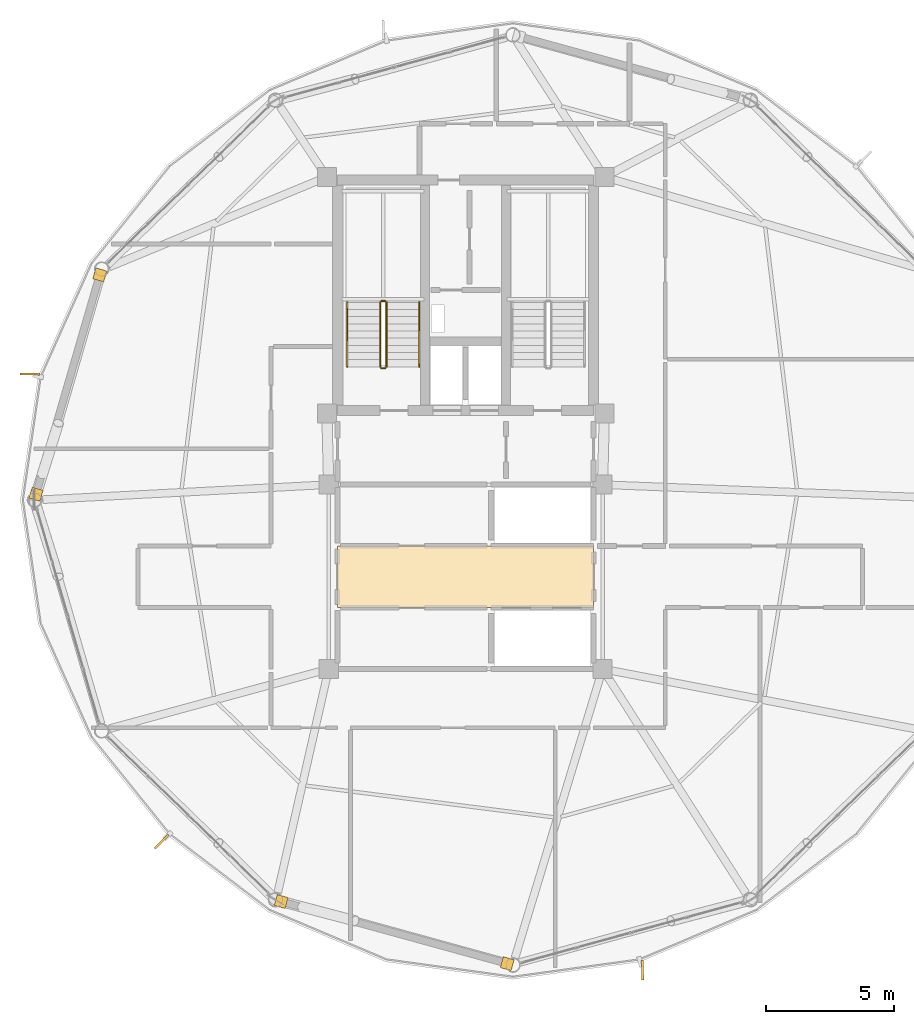
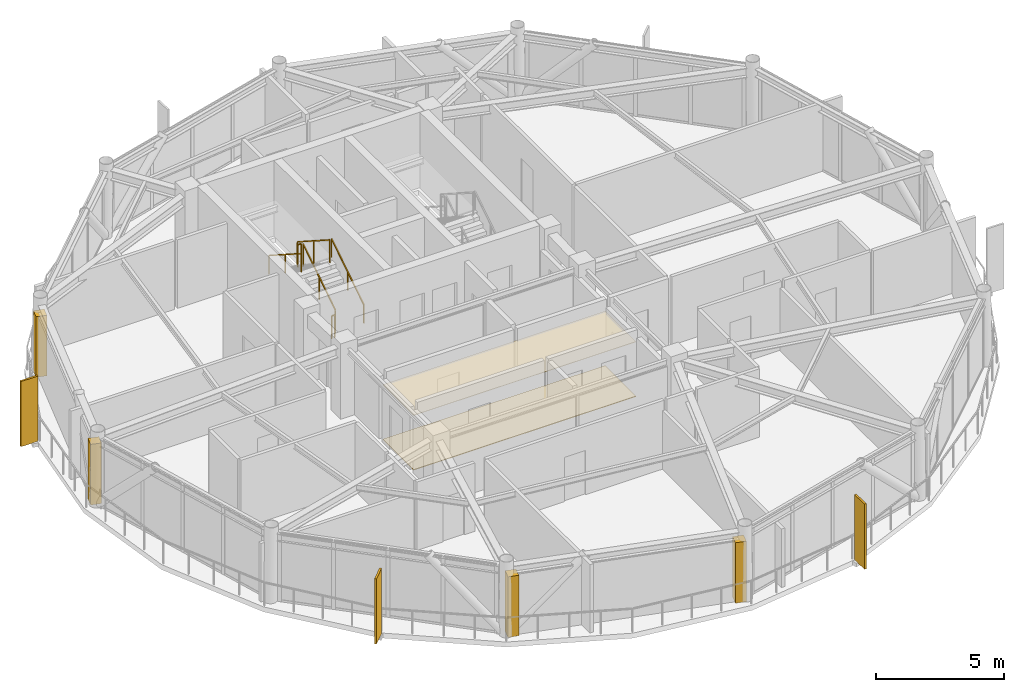
# One storey, part 26 of 28: 6 coverings, 6 railings, 3 shading devices.
"""IFC4 building model written with IfcOpenShell, lengths in metres."""

from ifc_helpers import new_model, si_unit, direction, frame, origin, origin_2d, place, context, subcontext, project, spatial, polyline, rectangle, outline, extrude, source, transform, mapped, material, layer, layer_set, type_object, type_shapes, element, save


model = new_model("IFC4")

# Units and contexts
model_context = context("Model", 3, precision=1e-05, world=origin(), true_north=direction((0.0, 1.0)))
body_context = subcontext(model_context, "Body", "Model", "MODEL_VIEW")
ifc_project = project(units=[si_unit("LENGTHUNIT", "METRE"), si_unit("AREAUNIT", "SQUARE_METRE"), si_unit("VOLUMEUNIT", "CUBIC_METRE"), si_unit("PLANEANGLEUNIT", "RADIAN"), si_unit("MASSUNIT", "GRAM", prefix="KILO")], contexts=[model_context])

# Site, building, storey
site_placement = place(None, origin())
site = spatial("IfcSite", under=ifc_project, at=site_placement, CompositionType="ELEMENT")
building_placement = place(site_placement, origin())
building = spatial("IfcBuilding", under=site, at=building_placement, Name="Varnakorn Sky Granary", CompositionType="ELEMENT")
storey_placement = place(building_placement, frame((0.0, 0.0, 236.39990234375)))
storey = spatial("IfcBuildingStorey", under=building, at=storey_placement, Name="L60", CompositionType="ELEMENT", Elevation=236.39990234375)

# Coverings
ifc_material_1 = material(Name="Perforated Acoustic Mineral-Fibre Ceiling", Category="gypsum")
ifc_layer_1 = layer(ifc_material_1, 0.02001953125, Name="Perforated Acoustic Mineral-Fibre Ceiling")
ifc_layer_set_1 = layer_set([ifc_layer_1], Name="Perforated Acoustic Mineral-Fibre Ceiling")
covering_type_1 = type_object("IfcCoveringType", Name="CV-CEIL-20", PredefinedType="CEILING", material=ifc_layer_set_1)
covering_1_placement = place(storey_placement, frame((0.0, 0.0, 2.60009765625)))
element("IfcCovering", 1, at=covering_1_placement, inside=storey, type_object=covering_type_1, Name="Lift Lobby Perforated Acoustic Ceiling L60", PredefinedType="CEILING", context=body_context, shape_type="SweptSolid", body=[
    extrude(outline(polyline([(-2.0, -4.199951171875), (8.0, -4.199951171875), (8.0, -1.800048828125), (-2.0, -1.800048828125), (-2.0, -4.199951171875)])), origin(), (0.0, 0.0, 1.0), 0.02001953125),
])
ifc_material_2 = material(Name="Honed Epoxy Terrazzo Topping", Category="concrete")
ifc_layer_2 = layer(ifc_material_2, 0.030029296875, Name="Honed Epoxy Terrazzo Topping")
ifc_layer_set_2 = layer_set([ifc_layer_2], Name="Honed Epoxy Terrazzo Topping")
covering_type_2 = type_object("IfcCoveringType", Name="CV-FLOR-30", PredefinedType="FLOORING", material=ifc_layer_set_2)
covering_2_placement = place(storey_placement, origin())
element("IfcCovering", 2, at=covering_2_placement, inside=storey, type_object=covering_type_2, Name="Lift Lobby Terrazzo Floor Finish L60", PredefinedType="FLOORING", context=body_context, shape_type="SweptSolid", body=[
    extrude(outline(polyline([(-2.0, -4.199951171875), (8.0, -4.199951171875), (8.0, -1.800048828125), (-2.0, -1.800048828125), (-2.0, -4.199951171875)])), origin(), (0.0, 0.0, 1.0), 0.030029296875),
])

# Railings
ifc_material_3 = material(Name="Brushed Stainless Steel 316", Category="steel")
railing_type_1 = type_object("IfcRailingType", Name="RL-STAIR-1100", PredefinedType="GUARDRAIL", material=ifc_material_3)
railing_1_placement = place(storey_placement, frame((-0.090087890625, 5.199951171875, 0.18017578125)))
element("IfcRailing", 3, at=railing_1_placement, inside=storey, type_object=railing_type_1, Name="L60 ST-1 stair guard 1", PredefinedType="GUARDRAIL", context=body_context, shape_type="SweptSolid", body=[
    extrude(rectangle(XDim=0.048095703125, YDim=0.048095703125, at=origin_2d()), frame((0.0, 0.0, 1.076171875), z_axis=(0.0, 0.841199657755, 0.540724639528), x_axis=(-1.0, 0.0, 0.0)), (0.0, 0.0, 1.0), 2.995849609375),
    extrude(rectangle(XDim=0.0419921875, YDim=0.0419921875, at=origin_2d()), origin(), (0.0, 0.0, 1.0), 1.048095703125),
    extrude(rectangle(XDim=0.0419921875, YDim=0.0419921875, at=origin_2d()), frame((0.0, 1.260009765625, 0.81005859375)), (0.0, 0.0, 1.0), 1.048095703125),
    extrude(rectangle(XDim=0.0419921875, YDim=0.0419921875, at=origin_2d()), frame((0.0, 2.52001953125, 1.619873046875)), (0.0, 0.0, 1.0), 1.048095703125),
])
railing_2_placement = place(storey_placement, frame((-0.139892578125, 7.77001953125, 1.800048828125)))
element("IfcRailing", 4, at=railing_2_placement, inside=storey, type_object=railing_type_1, Name="L60 ST-1 stair guard 2", PredefinedType="GUARDRAIL", context=body_context, shape_type="SweptSolid", body=[
    extrude(rectangle(XDim=0.048095703125, YDim=0.048095703125, at=origin_2d()), frame((0.0, 0.0, 1.076171875), z_axis=(-1.0, 0.0, 0.0), x_axis=(0.0, -1.0, 0.0)), (0.0, 0.0, 1.0), 0.150146484375),
    extrude(rectangle(XDim=0.0419921875, YDim=0.0419921875, at=origin_2d()), origin(), (0.0, 0.0, 1.0), 1.048095703125),
    extrude(rectangle(XDim=0.0419921875, YDim=0.0419921875, at=origin_2d()), frame((-0.150146484375, 0.0, 0.0)), (0.0, 0.0, 1.0), 1.048095703125),
])
railing_3_placement = place(storey_placement, frame((-0.340087890625, 7.719970703125, 1.97998046875)))
element("IfcRailing", 5, at=railing_3_placement, inside=storey, type_object=railing_type_1, Name="L60 ST-1 stair guard 3", PredefinedType="GUARDRAIL", context=body_context, shape_type="SweptSolid", body=[
    extrude(rectangle(XDim=0.048095703125, YDim=0.048095703125, at=origin_2d()), frame((0.0, 0.0, 1.076171875), z_axis=(0.0, -0.841162588446, 0.540782303519), x_axis=(1.0, 0.0, 0.0)), (0.0, 0.0, 1.0), 2.995849609375),
    extrude(rectangle(XDim=0.0419921875, YDim=0.0419921875, at=origin_2d()), origin(), (0.0, 0.0, 1.0), 1.048095703125),
    extrude(rectangle(XDim=0.0419921875, YDim=0.0419921875, at=origin_2d()), frame((0.0, -1.260009765625, 0.81005859375)), (0.0, 0.0, 1.0), 1.048095703125),
    extrude(rectangle(XDim=0.0419921875, YDim=0.0419921875, at=origin_2d()), frame((0.0, -2.52001953125, 1.6201171875)), (0.0, 0.0, 1.0), 1.048095703125),
])
railing_4_placement = place(storey_placement, frame((-0.139892578125, 5.14990234375, 0.0)))
element("IfcRailing", 6, at=railing_4_placement, inside=storey, type_object=railing_type_1, Name="L60 ST-1 stair guard 4", PredefinedType="GUARDRAIL", context=body_context, shape_type="SweptSolid", body=[
    extrude(rectangle(XDim=0.048095703125, YDim=0.048095703125, at=origin_2d()), frame((0.0, 0.0, 1.076171875), z_axis=(-1.0, 0.0, 0.0), x_axis=(0.0, -1.0, 0.0)), (0.0, 0.0, 1.0), 0.150146484375),
    extrude(rectangle(XDim=0.0419921875, YDim=0.0419921875, at=origin_2d()), origin(), (0.0, 0.0, 1.0), 1.048095703125),
    extrude(rectangle(XDim=0.0419921875, YDim=0.0419921875, at=origin_2d()), frame((-0.150146484375, 0.0, 0.0)), (0.0, 0.0, 1.0), 1.048095703125),
])
railing_type_2 = type_object("IfcRailingType", Name="RL-STAIR-920", PredefinedType="HANDRAIL", material=ifc_material_3)
railing_5_placement = place(storey_placement, frame((1.18994140625, 5.199951171875, 0.18017578125)))
element("IfcRailing", 7, at=railing_5_placement, inside=storey, type_object=railing_type_2, Name="L60 ST-1 stair handrail 1", PredefinedType="HANDRAIL", context=body_context, shape_type="SweptSolid", body=[
    extrude(rectangle(XDim=0.048095703125, YDim=0.048095703125, at=origin_2d()), frame((0.0, 0.0, 0.8759765625), z_axis=(0.0, 0.841199657755, 0.540724639528), x_axis=(-1.0, 0.0, 0.0)), (0.0, 0.0, 1.0), 2.995849609375),
    extrude(rectangle(XDim=0.0419921875, YDim=0.0419921875, at=origin_2d()), origin(), (0.0, 0.0, 1.0), 0.847900390625),
    extrude(rectangle(XDim=0.0419921875, YDim=0.0419921875, at=origin_2d()), frame((0.0, 1.260009765625, 0.81005859375)), (0.0, 0.0, 1.0), 0.847900390625),
    extrude(rectangle(XDim=0.0419921875, YDim=0.0419921875, at=origin_2d()), frame((0.0, 2.52001953125, 1.619873046875)), (0.0, 0.0, 1.0), 0.847900390625),
])
railing_6_placement = place(storey_placement, frame((-1.6201171875, 7.719970703125, 1.97998046875)))
element("IfcRailing", 8, at=railing_6_placement, inside=storey, type_object=railing_type_2, Name="L60 ST-1 stair handrail 2", PredefinedType="HANDRAIL", context=body_context, shape_type="SweptSolid", body=[
    extrude(rectangle(XDim=0.048095703125, YDim=0.048095703125, at=origin_2d()), frame((0.0, 0.0, 0.8759765625), z_axis=(0.0, -0.841162588446, 0.540782303519), x_axis=(1.0, 0.0, 0.0)), (0.0, 0.0, 1.0), 2.995849609375),
    extrude(rectangle(XDim=0.0419921875, YDim=0.0419921875, at=origin_2d()), origin(), (0.0, 0.0, 1.0), 0.847900390625),
    extrude(rectangle(XDim=0.0419921875, YDim=0.0419921875, at=origin_2d()), frame((0.0, -1.260009765625, 0.81005859375)), (0.0, 0.0, 1.0), 0.847900390625),
    extrude(rectangle(XDim=0.0419921875, YDim=0.0419921875, at=origin_2d()), frame((0.0, -2.52001953125, 1.6201171875)), (0.0, 0.0, 1.0), 0.847900390625),
])

# Shading devices
ifc_material_4 = material(Name="Anodised Bronze Aluminium Alloy 6063-T6", Category="aluminium")
shading_device_type = type_object("IfcShadingDeviceType", Name="SH-FIN-03", PredefinedType="USERDEFINED", material=ifc_material_4)
shared_shape_1 = source(origin(), body_context, "Body", "SweptSolid", [
    extrude(rectangle(XDim=0.0849609375, YDim=0.760009765625, at=origin_2d()), origin(), (0.0, 0.0, 1.0), 3.10009765625),
])
type_shapes(shading_device_type, [shared_shape_1])
for number, where, z_axis, x_axis, name in (
    (9, (-14.02783203125, 4.91943359375, -0.0400390625), (0.0, 0.0, 1.0), (-0.01118228807, -0.999937476262, 0.0), "Bronze Solar-Tracking Vertical Blade FIN L60-06"),
    (10, (-8.878173828125, -13.348388671875, -0.0400390625), (0.0, 0.0, 1.0), (0.702714726558, -0.711471723316, 0.0), "Bronze Solar-Tracking Vertical Blade FIN L60-08"),
    (11, (9.9111328125, -18.3701171875, -0.0400390625), (0.0, 0.0, 1.0), (0.999579723422, 0.02898924841, 0.0), "Bronze Solar-Tracking Vertical Blade FIN L60-10"),
):
    element("IfcShadingDevice", number, at=place(storey_placement, frame(where, z_axis=z_axis, x_axis=x_axis)), inside=storey, type_object=shading_device_type, Name=name, ObjectType="FIN", PredefinedType="USERDEFINED", context=body_context, shape_type="MappedRepresentation", body=[
        mapped(shared_shape_1, transform((0.0, 0.0, 0.0), x_axis=(1.0, 0.0, 0.0), y_axis=(0.0, 1.0, 0.0), z_axis=(0.0, 0.0, 1.0), scale=1.0)),
    ])

# Coverings
ifc_layer_3 = layer(ifc_material_4, 0.050048828125, Name="Anodised Bronze Aluminium Alloy 6063-T6")
ifc_layer_set_3 = layer_set([ifc_layer_3], Name="Anodised Bronze Aluminium Alloy 6063-T6")
covering_type_3 = type_object("IfcCoveringType", Name="CV-CLAD-50", PredefinedType="CLADDING", material=ifc_layer_set_3)
shared_shape_2 = source(origin(), body_context, "Body", "SweptSolid", [
    extrude(rectangle(XDim=0.43994140625, YDim=0.43994140625, at=origin_2d()), origin(), (0.0, 0.0, 1.0), 2.8798828125),
])
type_shapes(covering_type_3, [shared_shape_2])
for number, where, z_axis, x_axis, name in (
    (12, (-13.782470703125, 0.22509765625, -0.019775390625), (0.0, 0.0, 1.0), (0.279158704655, 0.960244977917, 0.0), "Bronze Corner Pilaster Closure L60-P06-A"),
    (13, (-11.29150390625, 8.794189453125, -0.019775390625), (0.0, 0.0, 1.0), (0.279158704655, 0.960244977917, 0.0), "Bronze Corner Pilaster Closure L60-P06-B"),
    (14, (4.623779296875, -18.11181640625, -0.019775390625), (0.0, 0.0, 1.0), (-0.96423431693, 0.265051281935, 0.0), "Bronze Corner Pilaster Closure L60-P09-A"),
    (15, (-4.205322265625, -15.684326171875, -0.019775390625), (0.0, 0.0, 1.0), (-0.96423431693, 0.265051281935, 0.0), "Bronze Corner Pilaster Closure L60-P09-B"),
):
    element("IfcCovering", number, at=place(storey_placement, frame(where, z_axis=z_axis, x_axis=x_axis)), inside=storey, type_object=covering_type_3, Name=name, PredefinedType="CLADDING", context=body_context, shape_type="MappedRepresentation", body=[
        mapped(shared_shape_2, transform((0.0, 0.0, 0.0), x_axis=(1.0, 0.0, 0.0), y_axis=(0.0, 1.0, 0.0), z_axis=(0.0, 0.0, 1.0), scale=1.0)),
    ])

save(model, "model.ifc")
